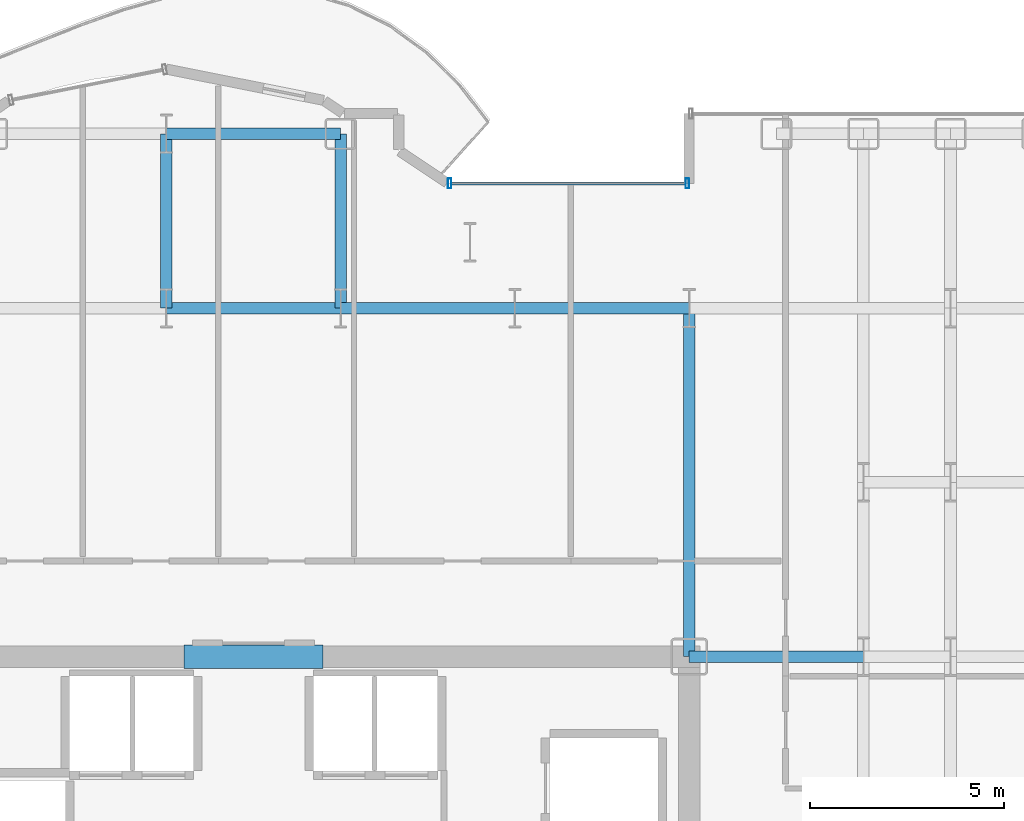
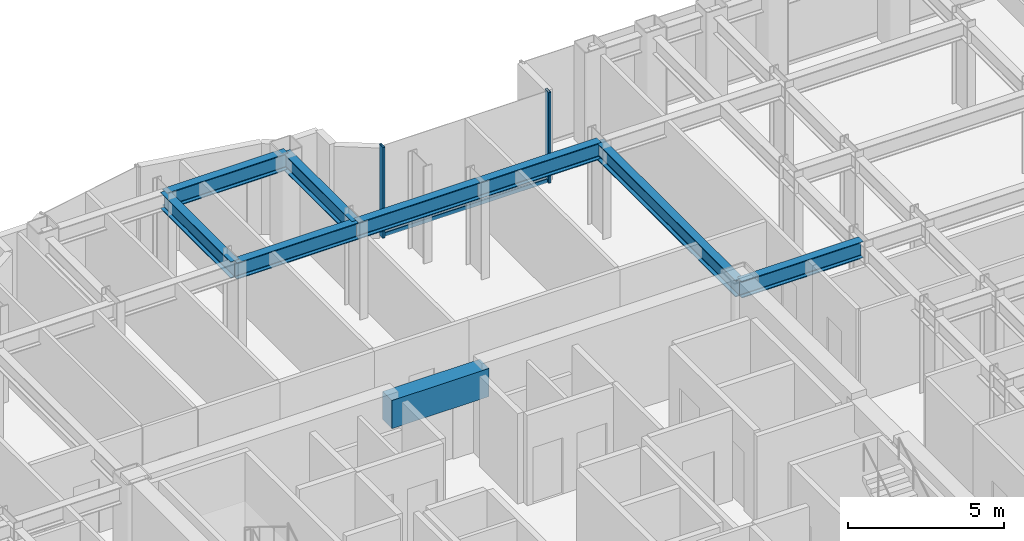
# One storey, part 14 of 29: 9 beams, 3 members, 1 element without a shape of its own.
"""IFC4 building model written with IfcOpenShell, lengths in metres."""

from ifc_helpers import new_model, si_unit, direction, frame, origin, origin_2d, place, context, subcontext, project, spatial, rectangle, hollow_rectangle, i_section, extrude, source, transform, mapped, material, layer, layer_set, material_profile, profile_set, type_object, element, aggregate, save


model = new_model("IFC4")

# Units and contexts
model_context = context("Model", 3, precision=1e-05, world=origin(), true_north=direction((0.0, 1.0)))
body_context = subcontext(model_context, "Body", "Model", "MODEL_VIEW")
ifc_project = project(units=[si_unit("LENGTHUNIT", "METRE"), si_unit("AREAUNIT", "SQUARE_METRE"), si_unit("VOLUMEUNIT", "CUBIC_METRE"), si_unit("PLANEANGLEUNIT", "RADIAN"), si_unit("MASSUNIT", "GRAM", prefix="KILO")], contexts=[model_context])

# Site, building, storey
site_placement = place(None, origin())
site = spatial("IfcSite", under=ifc_project, at=site_placement, CompositionType="ELEMENT")
building_placement = place(site_placement, origin())
building = spatial("IfcBuilding", under=site, at=building_placement, Name="Nefas-Gora Pilgrimage Tower", CompositionType="ELEMENT")
storey_placement = place(building_placement, frame((0.0, 0.0, 136.39990234375)))
storey = spatial("IfcBuildingStorey", under=building, at=storey_placement, Name="L33", CompositionType="ELEMENT", Elevation=136.39990234375)

# Beams
ifc_material_1 = material(Name="Concrete C60/75", Category="concrete")
ifc_material_profile_1 = material_profile(ifc_material_1, rectangle(XDim=0.60009765625, YDim=1.10009765625, at=origin_2d()), Name="RC 600x1100")
ifc_profile_set_1 = profile_set([ifc_material_profile_1], Name="Concrete C60/75")
beam_type_1 = type_object("IfcBeamType", Name="BM-LIN-RC1100", PredefinedType="LINTEL", material=ifc_profile_set_1)
shared_shape_1 = source(origin(), body_context, "Body", "SweptSolid", [
    extrude(rectangle(XDim=0.60009765625, YDim=1.10009765625, at=origin_2d()), origin(), (0.0, 0.0, 1.0), 3.60009765625),
])
beam_1_placement = place(storey_placement, frame((-1.800048828125, 9.0, 3.0), z_axis=(1.0, 0.0, 0.0), x_axis=(0.0, 1.0, 0.0)))
element("IfcBeam", 1, at=beam_1_placement, inside=storey, type_object=beam_type_1, Name="L33 Core Coupling Lintel Beam N", PredefinedType="LINTEL", context=body_context, shape_type="MappedRepresentation", body=[
    mapped(shared_shape_1, transform((0.0, 0.0, 0.0), x_axis=(1.0, 0.0, 0.0), y_axis=(0.0, 1.0, 0.0), z_axis=(0.0, 0.0, 1.0), scale=1.0)),
])
ifc_material_2 = material(Name="Steel S355", Category="steel")
ifc_material_profile_2 = material_profile(ifc_material_2, i_section(OverallWidth=0.300048828125, OverallDepth=0.64990234375, WebThickness=0.01611328125, FlangeThickness=0.031005859375, FilletRadius=0.027099609375, at=origin_2d()), Name="HEB 650")
ifc_profile_set_2 = profile_set([ifc_material_profile_2], Name="Steel S355")
beam_type_2 = type_object("IfcBeamType", Name="BM-GIR-HEB650", PredefinedType="BEAM", material=ifc_profile_set_2)
shared_shape_2 = source(origin(), body_context, "Body", "SweptSolid", [
    extrude(i_section(OverallWidth=0.300048828125, OverallDepth=0.64990234375, WebThickness=0.01611328125, FlangeThickness=0.031005859375, FilletRadius=0.027099609375, at=origin_2d()), origin(), (0.0, 0.0, 1.0), 9.0),
])
beam_2_placement = place(storey_placement, frame((11.25, 9.0, 3.22509765625), z_axis=(0.0, 1.0, 0.0), x_axis=(-1.0, 0.0, 0.0)))
element("IfcBeam", 2, at=beam_2_placement, inside=storey, type_object=beam_type_2, Name="L33 G-03 beam", PredefinedType="BEAM", context=body_context, shape_type="MappedRepresentation", body=[
    mapped(shared_shape_2, transform((0.0, 0.0, 0.0), x_axis=(1.0, 0.0, 0.0), y_axis=(0.0, 1.0, 0.0), z_axis=(0.0, 0.0, 1.0), scale=1.0)),
])
shared_shape_3 = source(origin(), body_context, "Body", "SweptSolid", [
    extrude(i_section(OverallWidth=0.300048828125, OverallDepth=0.64990234375, WebThickness=0.01611328125, FlangeThickness=0.031005859375, FilletRadius=0.027099609375, at=origin_2d()), origin(), (0.0, 0.0, 1.0), 4.5),
])
for number, where, z_axis, x_axis, name in (
    (3, (-2.25, 18.0, 3.22509765625), (0.0, 1.0, 0.0), (-1.0, 0.0, 0.0), "L33 G-03 beam"),
    (4, (-2.25, 18.0, 3.22509765625), (1.0, 0.0, 0.0), (0.0, 1.0, 0.0), "L33 G-03 beam"),
    (5, (-2.25, 22.5, 3.22509765625), (1.0, 0.0, 0.0), (0.0, 1.0, 0.0), "L33 G-03 beam"),
    (6, (2.25, 18.0, 3.22509765625), (0.0, 1.0, 0.0), (-1.0, 0.0, 0.0), "L33 G-03 beam"),
    (7, (2.25, 18.0, 3.22509765625), (1.0, 0.0, 0.0), (0.0, 1.0, 0.0), "L33 G-03 beam"),
    (8, (6.75, 18.0, 3.22509765625), (1.0, 0.0, 0.0), (0.0, 1.0, 0.0), "L33 G-03 beam"),
    (9, (11.25, 9.0, 3.22509765625), (1.0, 0.0, 0.0), (0.0, 1.0, 0.0), "L33 G-03 beam"),
):
    element("IfcBeam", number, at=place(storey_placement, frame(where, z_axis=z_axis, x_axis=x_axis)), inside=storey, type_object=beam_type_2, Name=name, PredefinedType="BEAM", context=body_context, shape_type="MappedRepresentation", body=[
        mapped(shared_shape_3, transform((0.0, 0.0, 0.0), x_axis=(1.0, 0.0, 0.0), y_axis=(0.0, 1.0, 0.0), z_axis=(0.0, 0.0, 1.0), scale=1.0)),
    ])

# Curtain wall, members
ifc_material_3 = material(Name="Dark ceramic-fritted solar-control aluminium-glass curtain wall", Category="aluminium")
ifc_layer = layer(ifc_material_3, 0.219970703125)
ifc_layer_set = layer_set([ifc_layer], Name="Dark ceramic-fritted solar-control aluminium-glass curtain wall")
curtain_wall_type = type_object("IfcCurtainWallType", Name="CW-SYS-5", PredefinedType="NOTDEFINED", material=ifc_layer_set)
curtain_wall_placement = place(storey_placement, origin())
curtain_wall = element("IfcCurtainWall", 10, at=curtain_wall_placement, inside=storey, type_object=curtain_wall_type, Name="L33 Unitised Curtain Wall CW5", PredefinedType="NOTDEFINED")
ifc_material_4 = material(Name="Anodised architectural aluminium", Category="aluminium")
ifc_material_profile_3 = material_profile(ifc_material_4, hollow_rectangle(XDim=0.090087890625, YDim=0.260009765625, WallThickness=0.006103515625, InnerFilletRadius=0.006103515625, OuterFilletRadius=0.011962890625, at=origin_2d()), Name="ALU MULLION 90x260")
ifc_profile_set_3 = profile_set([ifc_material_profile_3], Name="Anodised architectural aluminium")
member_type_1 = type_object("IfcMemberType", Name="CWM-MUL-5", PredefinedType="MULLION", material=ifc_profile_set_3)
shared_shape_4 = source(origin(), body_context, "Body", "SweptSolid", [
    extrude(hollow_rectangle(XDim=0.090087890625, YDim=0.260009765625, WallThickness=0.006103515625, InnerFilletRadius=0.006103515625, OuterFilletRadius=0.011962890625, at=origin_2d()), origin(), (0.0, 0.0, 1.0), 3.550048828125),
])
member_1_placement = place(storey_placement, frame((11.205078125, 21.219970703125, 0.0), z_axis=(0.0, 0.0, 1.0), x_axis=(-1.0, 0.0, 0.0)))
member_1 = element("IfcMember", 11, at=member_1_placement, type_object=member_type_1, Name="CW5 Mullion 1", PredefinedType="MULLION", context=body_context, shape_type="MappedRepresentation", body=[
    mapped(shared_shape_4, transform((0.0, 0.0, 0.0), x_axis=(1.0, 0.0, 0.0), y_axis=(0.0, 1.0, 0.0), z_axis=(0.0, 0.0, 1.0), scale=1.0)),
])
member_2_placement = place(storey_placement, frame((5.06298828125, 21.219970703125, 0.0), z_axis=(0.0, 0.0, 1.0), x_axis=(-1.0, 0.0, 0.0)))
member_2 = element("IfcMember", 12, at=member_2_placement, type_object=member_type_1, Name="CW5 Mullion 2", PredefinedType="MULLION", context=body_context, shape_type="MappedRepresentation", body=[
    mapped(shared_shape_4, transform((0.0, 0.0, 0.0), x_axis=(1.0, 0.0, 0.0), y_axis=(0.0, 1.0, 0.0), z_axis=(0.0, 0.0, 1.0), scale=1.0)),
])
ifc_material_profile_4 = material_profile(ifc_material_4, hollow_rectangle(XDim=0.080078125, YDim=0.159912109375, WallThickness=0.00439453125, InnerFilletRadius=0.00439453125, OuterFilletRadius=0.009033203125, at=origin_2d()), Name="ALU TRANSOM 80x160")
ifc_profile_set_4 = profile_set([ifc_material_profile_4], Name="Anodised architectural aluminium")
member_type_2 = type_object("IfcMemberType", Name="CWM-TRN-5", PredefinedType="USERDEFINED", material=ifc_profile_set_4)
shared_shape_5 = source(origin(), body_context, "Body", "SweptSolid", [
    extrude(hollow_rectangle(XDim=0.080078125, YDim=0.159912109375, WallThickness=0.00439453125, InnerFilletRadius=0.00439453125, OuterFilletRadius=0.009033203125, at=origin_2d()), origin(), (0.0, 0.0, 1.0), 6.052001953125),
])
member_3_placement = place(storey_placement, frame((11.159912109375, 21.219970703125, 0.050048828125), z_axis=(-1.0, 0.0, 0.0), x_axis=(0.0, -1.0, 0.0)))
member_3 = element("IfcMember", 13, at=member_3_placement, type_object=member_type_2, Name="CW5 Spandrel Transom", ObjectType="TRANSOM", PredefinedType="USERDEFINED", context=body_context, shape_type="MappedRepresentation", body=[
    mapped(shared_shape_5, transform((0.0, 0.0, 0.0), x_axis=(1.0, 0.0, 0.0), y_axis=(0.0, 1.0, 0.0), z_axis=(0.0, 0.0, 1.0), scale=1.0)),
])
aggregate(curtain_wall, [member_1, member_2, member_3])

save(model, "model.ifc")
